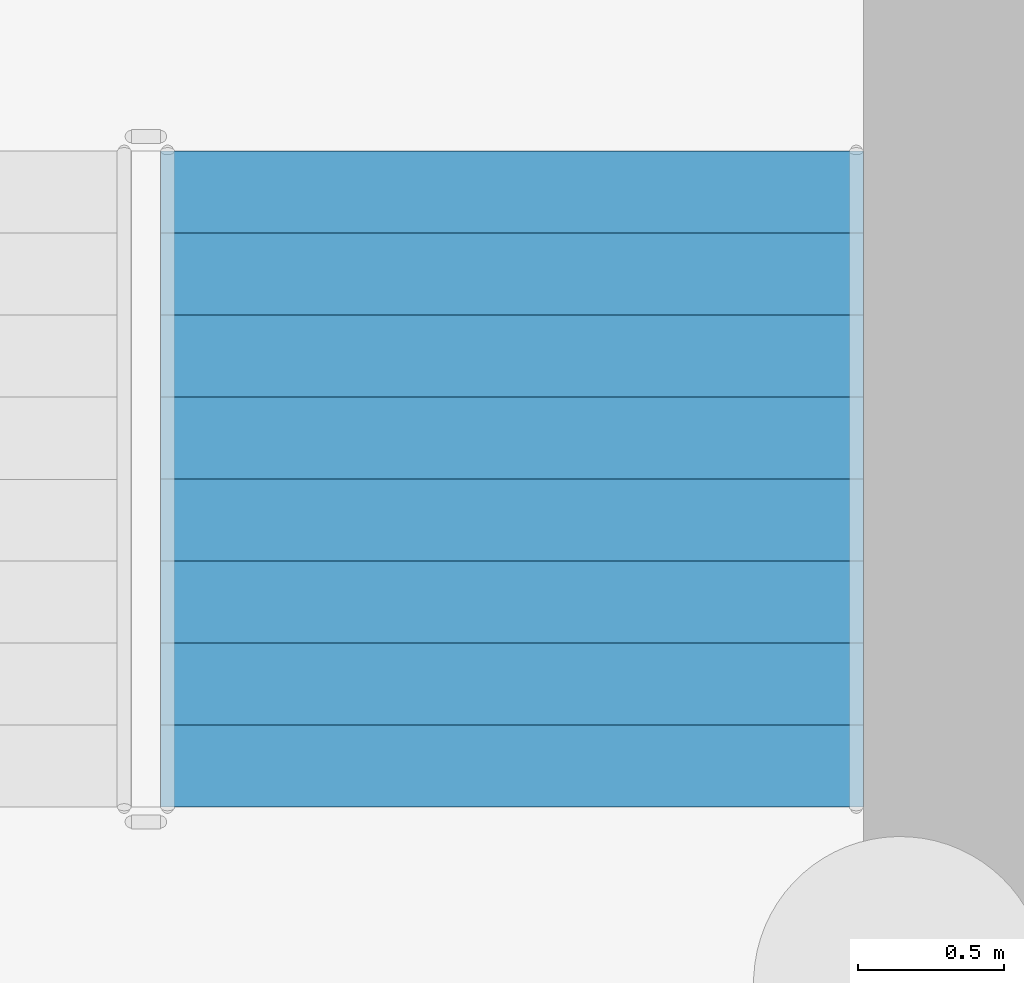
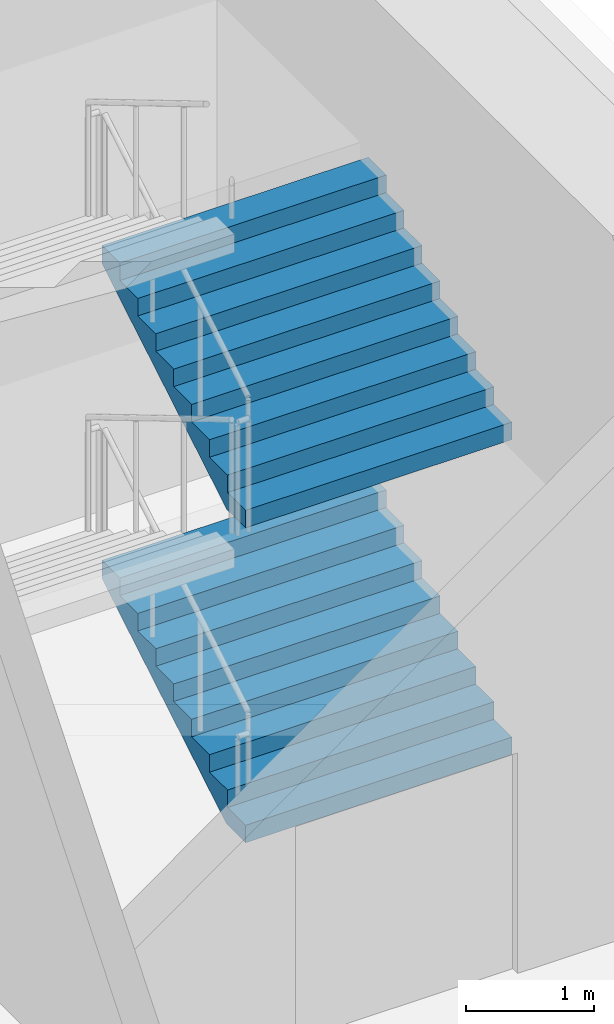
# One storey, part 28 of 39: 2 stair flights, 1 element without a shape of its own.
"""IFC4 building model written with IfcOpenShell, lengths in metres."""

from ifc_helpers import new_model, si_unit, direction, frame, origin, place, context, subcontext, project, spatial, triangles, material, type_object, element, aggregate, save


model = new_model("IFC4")

# Units and contexts
model_context = context("Model", 3, precision=1e-05, world=origin(), true_north=direction((0.0, 1.0)))
body_context = subcontext(model_context, "Body", "Model", "MODEL_VIEW")
ifc_project = project(units=[si_unit("LENGTHUNIT", "METRE"), si_unit("AREAUNIT", "SQUARE_METRE"), si_unit("VOLUMEUNIT", "CUBIC_METRE"), si_unit("PLANEANGLEUNIT", "RADIAN"), si_unit("MASSUNIT", "GRAM", prefix="KILO")], contexts=[model_context])

# Site, building, storey
site_placement = place(None, origin())
site = spatial("IfcSite", under=ifc_project, at=site_placement, CompositionType="ELEMENT")
building_placement = place(site_placement, origin())
building = spatial("IfcBuilding", under=site, at=building_placement, Name="Magnolia Steps Interchange", CompositionType="ELEMENT")
storey_placement = place(building_placement, frame((0.0, 0.0, -11.39990234375)))
storey = spatial("IfcBuildingStorey", under=building, at=storey_placement, Name="B2", CompositionType="ELEMENT", Elevation=-11.39990234375)

# Stair, stair flights
ifc_material_1 = material(Name="Concrete C40", Category="concrete")
stair_type = type_object("IfcStairType", Name="Exit stair 2400", PredefinedType="HALF_TURN_STAIR", material=ifc_material_1)
stair_placement = place(storey_placement, origin())
stair = element("IfcStair", 1, at=stair_placement, inside=storey, type_object=stair_type, Name="B2 Stair 16", PredefinedType="HALF_TURN_STAIR")
ifc_material_2 = material(Name="Concrete C40", Category="concrete")
stair_flight_type = type_object("IfcStairFlightType", Name="Exit stair flight", PredefinedType="STRAIGHT", material=ifc_material_2)
stair_flight_1_placement = place(storey_placement, frame((181.22509765625, 69.875, 0.0), z_axis=(0.0, 0.0, 1.0), x_axis=(0.0, 1.0, 0.0)))
stair_flight_1 = element("IfcStairFlight", 2, at=stair_flight_1_placement, type_object=stair_flight_type, Name="Stair 16 flight 1", NumberOfRisers=9, NumberOfTreads=8, PredefinedType="STRAIGHT", RiserHeight=0.166666667, TreadLength=0.28, context=body_context, shape_type="Tessellation", body=[
    triangles([(0.0, -1.199951171875, 0.0), (0.29296875, -1.199951171875, 0.0), (2.239990234375, -1.199951171875, 1.158935546875), (2.239990234375, -1.199951171875, 1.333251953125), (1.9599609375, -1.199951171875, 1.333251953125), (1.9599609375, -1.199951171875, 1.166748046875), (1.679931640625, -1.199951171875, 1.166748046875), (1.679931640625, -1.199951171875, 1.0), (1.39990234375, -1.199951171875, 1.0), (1.39990234375, -1.199951171875, 0.833251953125), (1.1201171875, -1.199951171875, 0.833251953125), (1.1201171875, -1.199951171875, 0.666748046875), (0.840087890625, -1.199951171875, 0.666748046875), (0.840087890625, -1.199951171875, 0.5), (0.56005859375, -1.199951171875, 0.5), (0.56005859375, -1.199951171875, 0.333251953125), (0.280029296875, -1.199951171875, 0.333251953125), (0.280029296875, -1.199951171875, 0.166748046875), (0.0, -1.199951171875, 0.166748046875), (0.0, 1.199951171875, 0.0), (0.29296875, 1.199951171875, 0.0), (2.239990234375, 1.199951171875, 1.158935546875), (2.239990234375, 1.199951171875, 1.333251953125), (1.9599609375, 1.199951171875, 1.333251953125), (1.9599609375, 1.199951171875, 1.166748046875), (1.679931640625, 1.199951171875, 1.166748046875), (1.679931640625, 1.199951171875, 1.0), (1.39990234375, 1.199951171875, 1.0), (1.39990234375, 1.199951171875, 0.833251953125), (1.1201171875, 1.199951171875, 0.833251953125), (1.1201171875, 1.199951171875, 0.666748046875), (0.840087890625, 1.199951171875, 0.666748046875), (0.840087890625, 1.199951171875, 0.5), (0.56005859375, 1.199951171875, 0.5), (0.56005859375, 1.199951171875, 0.333251953125), (0.280029296875, 1.199951171875, 0.333251953125), (0.280029296875, 1.199951171875, 0.166748046875), (0.0, 1.199951171875, 0.166748046875), (0.0, 0.0, 0.0), (0.0, 0.0, 0.04168701171875), (0.0, 0.0, 0.0833740234375), (0.0, 0.0, 0.12506103515625), (0.0, 0.0, 0.166748046875), (0.0, -0.05, 0.0), (0.0, -0.05, 0.166748046875), (0.0, 0.05, 0.0), (0.0, 0.05, 0.166748046875), (0.046671549479166664, 0.0, 0.166748046875), (0.09334309895833333, 0.0, 0.166748046875), (0.1400146484375, 0.0, 0.166748046875), (0.18668619791666666, 0.0, 0.166748046875), (0.23335774739583334, 0.0, 0.166748046875), (0.280029296875, 0.0, 0.166748046875), (0.280029296875, -0.05, 0.166748046875), (0.280029296875, 0.05, 0.166748046875), (0.280029296875, 0.0, 0.2083740234375), (0.280029296875, 0.0, 0.25), (0.280029296875, 0.0, 0.2916259765625), (0.280029296875, 0.0, 0.333251953125), (0.280029296875, -0.05, 0.333251953125), (0.280029296875, 0.05, 0.333251953125), (0.3267008463541667, 0.0, 0.333251953125), (0.3733723958333333, 0.0, 0.333251953125), (0.4200439453125, 0.0, 0.333251953125), (0.46671549479166663, 0.0, 0.333251953125), (0.5133870442708334, 0.0, 0.333251953125), (0.56005859375, 0.0, 0.333251953125), (0.56005859375, -0.05, 0.333251953125), (0.56005859375, 0.05, 0.333251953125), (0.56005859375, 0.0, 0.37493896484375), (0.56005859375, 0.0, 0.4166259765625), (0.56005859375, 0.0, 0.45831298828125), (0.56005859375, 0.0, 0.5), (0.56005859375, -0.05, 0.5), (0.56005859375, 0.05, 0.5), (0.6067301432291666, 0.0, 0.5), (0.6534016927083334, 0.0, 0.5), (0.7000732421875, 0.0, 0.5), (0.7467447916666666, 0.0, 0.5), (0.7934163411458334, 0.0, 0.5), (0.840087890625, 0.0, 0.5), (0.840087890625, -0.05, 0.5), (0.840087890625, 0.05, 0.5), (0.840087890625, 0.0, 0.54168701171875), (0.840087890625, 0.0, 0.5833740234375), (0.840087890625, 0.0, 0.62506103515625), (0.840087890625, 0.0, 0.666748046875), (0.840087890625, -0.05, 0.666748046875), (0.840087890625, 0.05, 0.666748046875), (0.8867594401041666, 0.0, 0.666748046875), (0.9334309895833334, 0.0, 0.666748046875), (0.9801025390625, 0.0, 0.666748046875), (1.0267740885416667, 0.0, 0.666748046875), (1.0734456380208333, 0.0, 0.666748046875), (1.1201171875, 0.0, 0.666748046875), (1.1201171875, -0.05, 0.666748046875), (1.1201171875, 0.05, 0.666748046875), (1.1201171875, 0.0, 0.7083740234375), (1.1201171875, 0.0, 0.75), (1.1201171875, 0.0, 0.7916259765625), (1.1201171875, 0.0, 0.833251953125), (1.1201171875, -0.05, 0.833251953125), (1.1201171875, 0.05, 0.833251953125), (1.1900634765625, 0.0, 0.833251953125), (1.260009765625, 0.0, 0.833251953125), (1.3299560546875, 0.0, 0.833251953125), (1.39990234375, 0.0, 0.833251953125), (1.39990234375, -0.05, 0.833251953125), (1.39990234375, 0.05, 0.833251953125), (1.39990234375, 0.0, 0.87493896484375), (1.39990234375, 0.0, 0.9166259765625), (1.39990234375, 0.0, 0.95831298828125), (1.39990234375, 0.0, 1.0), (1.39990234375, -0.05, 1.0), (1.39990234375, 0.05, 1.0), (1.4465738932291667, 0.0, 1.0), (1.4932454427083333, 0.0, 1.0), (1.5399169921875, 0.0, 1.0), (1.5865885416666667, 0.0, 1.0), (1.6332600911458333, 0.0, 1.0), (1.679931640625, 0.0, 1.0), (1.679931640625, -0.05, 1.0), (1.679931640625, 0.05, 1.0), (1.679931640625, 0.0, 1.04168701171875), (1.679931640625, 0.0, 1.0833740234375), (1.679931640625, 0.0, 1.12506103515625), (1.679931640625, 0.0, 1.166748046875), (1.679931640625, -0.05, 1.166748046875), (1.679931640625, 0.05, 1.166748046875), (1.7266031901041667, 0.0, 1.166748046875), (1.7732747395833333, 0.0, 1.166748046875), (1.8199462890625, 0.0, 1.166748046875), (1.8666178385416667, 0.0, 1.166748046875), (1.9132893880208333, 0.0, 1.166748046875), (1.9599609375, 0.0, 1.166748046875), (1.9599609375, -0.05, 1.166748046875), (1.9599609375, 0.05, 1.166748046875), (1.9599609375, 0.0, 1.2083740234375), (1.9599609375, 0.0, 1.25), (1.9599609375, 0.0, 1.2916259765625), (1.9599609375, 0.0, 1.333251953125), (1.9599609375, -0.05, 1.333251953125), (1.9599609375, 0.05, 1.333251953125), (2.0066324869791665, 0.0, 1.333251953125), (2.0533040364583335, 0.0, 1.333251953125), (2.0999755859375, 0.0, 1.333251953125), (2.1466471354166665, 0.0, 1.333251953125), (2.1933186848958335, 0.0, 1.333251953125), (2.239990234375, 0.0, 1.333251953125), (2.239990234375, -0.05, 1.333251953125), (2.239990234375, 0.05, 1.333251953125), (2.239990234375, 0.0, 1.2896728515625), (2.239990234375, 0.0, 1.24609375), (2.239990234375, 0.0, 1.2025146484375), (2.239990234375, 0.0, 1.158935546875), (2.239990234375, -0.05, 1.158935546875), (2.239990234375, 0.05, 1.158935546875), (2.1827248965992645, 0.0, 1.1248492072610294), (2.1254595588235294, 0.0, 1.0907628676470589), (2.068194221047794, 0.0, 1.0566765280330883), (2.010928883272059, 0.0, 1.0225901884191178), (1.9536635454963236, 0.0, 0.9885038488051471), (1.8963982077205883, 0.0, 0.9544175091911764), (1.8391328699448528, 0.0, 0.9203311695772058), (1.7818675321691178, 0.0, 0.8862448299632353), (1.7246021943933822, 0.0, 0.8521584903492647), (1.6673368566176472, 0.0, 0.8180721507352942), (1.6100715188419117, 0.0, 0.7839858111213236), (1.5528061810661766, 0.0, 0.7498994715073529), (1.4955408432904411, 0.0, 0.7158131318933824), (1.4382755055147058, 0.0, 0.6817267922794117), (1.3810101677389706, 0.0, 0.6476404526654411), (1.3237448299632353, 0.0, 0.6135541130514706), (1.2664794921875, 0.0, 0.5794677734375), (1.2092141544117647, 0.0, 0.5453814338235294), (1.1519488166360294, 0.0, 0.5112950942095589), (1.0946834788602942, 0.0, 0.4772087545955882), (1.0374181410845589, 0.0, 0.44312241498161764), (0.9801528033088236, 0.0, 0.4090360753676471), (0.9228874655330883, 0.0, 0.3749497357536765), (0.865622127757353, 0.0, 0.34086339613970584), (0.8083567899816178, 0.0, 0.3067770565257353), (0.7510914522058822, 0.0, 0.2726907169117647), (0.693826114430147, 0.0, 0.23860437729779416), (0.6365607766544117, 0.0, 0.20451803768382348), (0.5792954388786764, 0.0, 0.17043169806985292), (0.5220301011029411, 0.0, 0.13634535845588225), (0.46476476332720584, 0.0, 0.10225901884191169), (0.40749942555147056, 0.0, 0.06817267922794112), (0.3502340877757353, 0.0, 0.03408633961397056), (0.29296875, 0.0, 0.0), (0.29296875, -0.05, 0.0), (0.29296875, 0.05, 0.0), (0.244140625, 0.0, 0.0), (0.1953125, 0.0, 0.0), (0.146484375, 0.0, 0.0), (0.09765625, 0.0, 0.0), (0.048828125, 0.0, 0.0)], [[1, 2, 3], [3, 4, 5], [3, 5, 6], [3, 6, 7], [3, 7, 8], [8, 9, 10], [3, 8, 10], [10, 11, 12], [3, 10, 12], [12, 13, 14], [3, 12, 14], [14, 15, 16], [3, 14, 16], [1, 3, 16], [16, 17, 18], [1, 16, 18], [18, 19, 1], [20, 22, 21], [22, 24, 23], [22, 25, 24], [22, 26, 25], [22, 27, 26], [27, 29, 28], [22, 29, 27], [29, 31, 30], [22, 31, 29], [31, 33, 32], [22, 33, 31], [33, 35, 34], [22, 35, 33], [20, 35, 22], [35, 37, 36], [20, 37, 35], [37, 20, 38], [1, 19, 45], [1, 45, 44], [44, 40, 39], [44, 41, 40], [44, 45, 41], [45, 42, 41], [45, 43, 42], [20, 47, 38], [20, 46, 47], [46, 39, 40], [46, 40, 41], [46, 41, 47], [47, 41, 42], [47, 42, 43], [19, 18, 54], [19, 54, 45], [45, 48, 43], [45, 49, 48], [45, 50, 49], [45, 54, 50], [54, 51, 50], [54, 52, 51], [54, 53, 52], [38, 55, 37], [38, 47, 55], [47, 43, 48], [47, 48, 49], [47, 49, 50], [47, 50, 55], [55, 50, 51], [55, 51, 52], [55, 52, 53], [18, 17, 60], [18, 60, 54], [54, 56, 53], [54, 57, 56], [54, 60, 57], [60, 58, 57], [60, 59, 58], [37, 61, 36], [37, 55, 61], [55, 53, 56], [55, 56, 57], [55, 57, 61], [61, 57, 58], [61, 58, 59], [17, 16, 68], [17, 68, 60], [60, 62, 59], [60, 63, 62], [60, 64, 63], [60, 68, 64], [68, 65, 64], [68, 66, 65], [68, 67, 66], [36, 69, 35], [36, 61, 69], [61, 59, 62], [61, 62, 63], [61, 63, 64], [61, 64, 69], [69, 64, 65], [69, 65, 66], [69, 66, 67], [16, 15, 74], [16, 74, 68], [68, 70, 67], [68, 71, 70], [68, 74, 71], [74, 72, 71], [74, 73, 72], [35, 75, 34], [35, 69, 75], [69, 67, 70], [69, 70, 71], [69, 71, 75], [75, 71, 72], [75, 72, 73], [15, 14, 82], [15, 82, 74], [74, 76, 73], [74, 77, 76], [74, 78, 77], [74, 82, 78], [82, 79, 78], [82, 80, 79], [82, 81, 80], [34, 83, 33], [34, 75, 83], [75, 73, 76], [75, 76, 77], [75, 77, 78], [75, 78, 83], [83, 78, 79], [83, 79, 80], [83, 80, 81], [14, 13, 88], [14, 88, 82], [82, 84, 81], [82, 85, 84], [82, 88, 85], [88, 86, 85], [88, 87, 86], [33, 89, 32], [33, 83, 89], [83, 81, 84], [83, 84, 85], [83, 85, 89], [89, 85, 86], [89, 86, 87], [13, 12, 96], [13, 96, 88], [88, 90, 87], [88, 91, 90], [88, 92, 91], [88, 96, 92], [96, 93, 92], [96, 94, 93], [96, 95, 94], [32, 97, 31], [32, 89, 97], [89, 87, 90], [89, 90, 91], [89, 91, 92], [89, 92, 97], [97, 92, 93], [97, 93, 94], [97, 94, 95], [12, 11, 102], [12, 102, 96], [96, 98, 95], [96, 99, 98], [96, 102, 99], [102, 100, 99], [102, 101, 100], [31, 103, 30], [31, 97, 103], [97, 95, 98], [97, 98, 99], [97, 99, 103], [103, 99, 100], [103, 100, 101], [11, 10, 108], [11, 108, 102], [102, 104, 101], [102, 105, 104], [102, 108, 105], [108, 106, 105], [108, 107, 106], [30, 109, 29], [30, 103, 109], [103, 101, 104], [103, 104, 105], [103, 105, 109], [109, 105, 106], [109, 106, 107], [10, 9, 114], [10, 114, 108], [108, 110, 107], [108, 111, 110], [108, 114, 111], [114, 112, 111], [114, 113, 112], [29, 115, 28], [29, 109, 115], [109, 107, 110], [109, 110, 111], [109, 111, 115], [115, 111, 112], [115, 112, 113], [9, 8, 122], [9, 122, 114], [114, 116, 113], [114, 117, 116], [114, 118, 117], [114, 122, 118], [122, 119, 118], [122, 120, 119], [122, 121, 120], [28, 123, 27], [28, 115, 123], [115, 113, 116], [115, 116, 117], [115, 117, 118], [115, 118, 123], [123, 118, 119], [123, 119, 120], [123, 120, 121], [8, 7, 128], [8, 128, 122], [122, 124, 121], [122, 125, 124], [122, 128, 125], [128, 126, 125], [128, 127, 126], [27, 129, 26], [27, 123, 129], [123, 121, 124], [123, 124, 125], [123, 125, 129], [129, 125, 126], [129, 126, 127], [7, 6, 136], [7, 136, 128], [128, 130, 127], [128, 131, 130], [128, 132, 131], [128, 136, 132], [136, 133, 132], [136, 134, 133], [136, 135, 134], [26, 137, 25], [26, 129, 137], [129, 127, 130], [129, 130, 131], [129, 131, 132], [129, 132, 137], [137, 132, 133], [137, 133, 134], [137, 134, 135], [6, 5, 142], [6, 142, 136], [136, 138, 135], [136, 139, 138], [136, 142, 139], [142, 140, 139], [142, 141, 140], [25, 143, 24], [25, 137, 143], [137, 135, 138], [137, 138, 139], [137, 139, 143], [143, 139, 140], [143, 140, 141], [5, 4, 150], [5, 150, 142], [142, 144, 141], [142, 145, 144], [142, 146, 145], [142, 150, 146], [150, 147, 146], [150, 148, 147], [150, 149, 148], [24, 151, 23], [24, 143, 151], [143, 141, 144], [143, 144, 145], [143, 145, 146], [143, 146, 151], [151, 146, 147], [151, 147, 148], [151, 148, 149], [4, 3, 156], [4, 156, 150], [150, 152, 149], [150, 153, 152], [150, 156, 153], [156, 154, 153], [156, 155, 154], [23, 157, 22], [23, 151, 157], [151, 149, 152], [151, 152, 153], [151, 153, 157], [157, 153, 154], [157, 154, 155], [3, 2, 192], [3, 192, 156], [156, 158, 155], [156, 159, 158], [156, 160, 159], [156, 161, 160], [156, 162, 161], [156, 163, 162], [156, 164, 163], [156, 165, 164], [156, 166, 165], [156, 167, 166], [156, 168, 167], [156, 169, 168], [156, 170, 169], [156, 171, 170], [156, 172, 171], [156, 173, 172], [156, 174, 173], [156, 192, 174], [192, 175, 174], [192, 176, 175], [192, 177, 176], [192, 178, 177], [192, 179, 178], [192, 180, 179], [192, 181, 180], [192, 182, 181], [192, 183, 182], [192, 184, 183], [192, 185, 184], [192, 186, 185], [192, 187, 186], [192, 188, 187], [192, 189, 188], [192, 190, 189], [192, 191, 190], [22, 193, 21], [22, 157, 193], [157, 155, 158], [157, 158, 159], [157, 159, 160], [157, 160, 161], [157, 161, 162], [157, 162, 163], [157, 163, 164], [157, 164, 165], [157, 165, 166], [157, 166, 167], [157, 167, 168], [157, 168, 169], [157, 169, 170], [157, 170, 171], [157, 171, 172], [157, 172, 173], [157, 173, 174], [157, 174, 193], [193, 174, 175], [193, 175, 176], [193, 176, 177], [193, 177, 178], [193, 178, 179], [193, 179, 180], [193, 180, 181], [193, 181, 182], [193, 182, 183], [193, 183, 184], [193, 184, 185], [193, 185, 186], [193, 186, 187], [193, 187, 188], [193, 188, 189], [193, 189, 190], [193, 190, 191], [2, 1, 44], [2, 44, 192], [192, 194, 191], [192, 195, 194], [192, 196, 195], [192, 44, 196], [44, 197, 196], [44, 198, 197], [44, 39, 198], [21, 46, 20], [21, 193, 46], [193, 191, 194], [193, 194, 195], [193, 195, 196], [193, 196, 46], [46, 196, 197], [46, 197, 198], [46, 198, 39]], closed=True),
])
stair_flight_2_placement = place(storey_placement, frame((181.22509765625, 69.875, 3.0), z_axis=(0.0, 0.0, 1.0), x_axis=(0.0, 1.0, 0.0)))
stair_flight_2 = element("IfcStairFlight", 3, at=stair_flight_2_placement, type_object=stair_flight_type, Name="Stair 16 flight 3", NumberOfRisers=9, NumberOfTreads=8, PredefinedType="STRAIGHT", RiserHeight=0.166666667, TreadLength=0.28, context=body_context, shape_type="Tessellation", body=[
    triangles([(0.0, -1.199951171875, 0.0), (0.29296875, -1.199951171875, 0.0), (2.239990234375, -1.199951171875, 1.158935546875), (2.239990234375, -1.199951171875, 1.333251953125), (1.9599609375, -1.199951171875, 1.333251953125), (1.9599609375, -1.199951171875, 1.166748046875), (1.679931640625, -1.199951171875, 1.166748046875), (1.679931640625, -1.199951171875, 1.0), (1.39990234375, -1.199951171875, 1.0), (1.39990234375, -1.199951171875, 0.833251953125), (1.1201171875, -1.199951171875, 0.833251953125), (1.1201171875, -1.199951171875, 0.666748046875), (0.840087890625, -1.199951171875, 0.666748046875), (0.840087890625, -1.199951171875, 0.5), (0.56005859375, -1.199951171875, 0.5), (0.56005859375, -1.199951171875, 0.333251953125), (0.280029296875, -1.199951171875, 0.333251953125), (0.280029296875, -1.199951171875, 0.166748046875), (0.0, -1.199951171875, 0.166748046875), (0.0, 1.199951171875, 0.0), (0.29296875, 1.199951171875, 0.0), (2.239990234375, 1.199951171875, 1.158935546875), (2.239990234375, 1.199951171875, 1.333251953125), (1.9599609375, 1.199951171875, 1.333251953125), (1.9599609375, 1.199951171875, 1.166748046875), (1.679931640625, 1.199951171875, 1.166748046875), (1.679931640625, 1.199951171875, 1.0), (1.39990234375, 1.199951171875, 1.0), (1.39990234375, 1.199951171875, 0.833251953125), (1.1201171875, 1.199951171875, 0.833251953125), (1.1201171875, 1.199951171875, 0.666748046875), (0.840087890625, 1.199951171875, 0.666748046875), (0.840087890625, 1.199951171875, 0.5), (0.56005859375, 1.199951171875, 0.5), (0.56005859375, 1.199951171875, 0.333251953125), (0.280029296875, 1.199951171875, 0.333251953125), (0.280029296875, 1.199951171875, 0.166748046875), (0.0, 1.199951171875, 0.166748046875), (0.0, 0.0, 0.0), (0.0, 0.0, 0.04168701171875), (0.0, 0.0, 0.0833740234375), (0.0, 0.0, 0.12506103515625), (0.0, 0.0, 0.166748046875), (0.0, -0.05, 0.0), (0.0, -0.05, 0.166748046875), (0.0, 0.05, 0.0), (0.0, 0.05, 0.166748046875), (0.046671549479166664, 0.0, 0.166748046875), (0.09334309895833333, 0.0, 0.166748046875), (0.1400146484375, 0.0, 0.166748046875), (0.18668619791666666, 0.0, 0.166748046875), (0.23335774739583334, 0.0, 0.166748046875), (0.280029296875, 0.0, 0.166748046875), (0.280029296875, -0.05, 0.166748046875), (0.280029296875, 0.05, 0.166748046875), (0.280029296875, 0.0, 0.2083740234375), (0.280029296875, 0.0, 0.25), (0.280029296875, 0.0, 0.2916259765625), (0.280029296875, 0.0, 0.333251953125), (0.280029296875, -0.05, 0.333251953125), (0.280029296875, 0.05, 0.333251953125), (0.3267008463541667, 0.0, 0.333251953125), (0.3733723958333333, 0.0, 0.333251953125), (0.4200439453125, 0.0, 0.333251953125), (0.46671549479166663, 0.0, 0.333251953125), (0.5133870442708334, 0.0, 0.333251953125), (0.56005859375, 0.0, 0.333251953125), (0.56005859375, -0.05, 0.333251953125), (0.56005859375, 0.05, 0.333251953125), (0.56005859375, 0.0, 0.37493896484375), (0.56005859375, 0.0, 0.4166259765625), (0.56005859375, 0.0, 0.45831298828125), (0.56005859375, 0.0, 0.5), (0.56005859375, -0.05, 0.5), (0.56005859375, 0.05, 0.5), (0.6067301432291666, 0.0, 0.5), (0.6534016927083334, 0.0, 0.5), (0.7000732421875, 0.0, 0.5), (0.7467447916666666, 0.0, 0.5), (0.7934163411458334, 0.0, 0.5), (0.840087890625, 0.0, 0.5), (0.840087890625, -0.05, 0.5), (0.840087890625, 0.05, 0.5), (0.840087890625, 0.0, 0.54168701171875), (0.840087890625, 0.0, 0.5833740234375), (0.840087890625, 0.0, 0.62506103515625), (0.840087890625, 0.0, 0.666748046875), (0.840087890625, -0.05, 0.666748046875), (0.840087890625, 0.05, 0.666748046875), (0.8867594401041666, 0.0, 0.666748046875), (0.9334309895833334, 0.0, 0.666748046875), (0.9801025390625, 0.0, 0.666748046875), (1.0267740885416667, 0.0, 0.666748046875), (1.0734456380208333, 0.0, 0.666748046875), (1.1201171875, 0.0, 0.666748046875), (1.1201171875, -0.05, 0.666748046875), (1.1201171875, 0.05, 0.666748046875), (1.1201171875, 0.0, 0.7083740234375), (1.1201171875, 0.0, 0.75), (1.1201171875, 0.0, 0.7916259765625), (1.1201171875, 0.0, 0.833251953125), (1.1201171875, -0.05, 0.833251953125), (1.1201171875, 0.05, 0.833251953125), (1.1900634765625, 0.0, 0.833251953125), (1.260009765625, 0.0, 0.833251953125), (1.3299560546875, 0.0, 0.833251953125), (1.39990234375, 0.0, 0.833251953125), (1.39990234375, -0.05, 0.833251953125), (1.39990234375, 0.05, 0.833251953125), (1.39990234375, 0.0, 0.87493896484375), (1.39990234375, 0.0, 0.9166259765625), (1.39990234375, 0.0, 0.95831298828125), (1.39990234375, 0.0, 1.0), (1.39990234375, -0.05, 1.0), (1.39990234375, 0.05, 1.0), (1.4465738932291667, 0.0, 1.0), (1.4932454427083333, 0.0, 1.0), (1.5399169921875, 0.0, 1.0), (1.5865885416666667, 0.0, 1.0), (1.6332600911458333, 0.0, 1.0), (1.679931640625, 0.0, 1.0), (1.679931640625, -0.05, 1.0), (1.679931640625, 0.05, 1.0), (1.679931640625, 0.0, 1.04168701171875), (1.679931640625, 0.0, 1.0833740234375), (1.679931640625, 0.0, 1.12506103515625), (1.679931640625, 0.0, 1.166748046875), (1.679931640625, -0.05, 1.166748046875), (1.679931640625, 0.05, 1.166748046875), (1.7266031901041667, 0.0, 1.166748046875), (1.7732747395833333, 0.0, 1.166748046875), (1.8199462890625, 0.0, 1.166748046875), (1.8666178385416667, 0.0, 1.166748046875), (1.9132893880208333, 0.0, 1.166748046875), (1.9599609375, 0.0, 1.166748046875), (1.9599609375, -0.05, 1.166748046875), (1.9599609375, 0.05, 1.166748046875), (1.9599609375, 0.0, 1.2083740234375), (1.9599609375, 0.0, 1.25), (1.9599609375, 0.0, 1.2916259765625), (1.9599609375, 0.0, 1.333251953125), (1.9599609375, -0.05, 1.333251953125), (1.9599609375, 0.05, 1.333251953125), (2.0066324869791665, 0.0, 1.333251953125), (2.0533040364583335, 0.0, 1.333251953125), (2.0999755859375, 0.0, 1.333251953125), (2.1466471354166665, 0.0, 1.333251953125), (2.1933186848958335, 0.0, 1.333251953125), (2.239990234375, 0.0, 1.333251953125), (2.239990234375, -0.05, 1.333251953125), (2.239990234375, 0.05, 1.333251953125), (2.239990234375, 0.0, 1.2896728515625), (2.239990234375, 0.0, 1.24609375), (2.239990234375, 0.0, 1.2025146484375), (2.239990234375, 0.0, 1.158935546875), (2.239990234375, -0.05, 1.158935546875), (2.239990234375, 0.05, 1.158935546875), (2.1827248965992645, 0.0, 1.1248492072610294), (2.1254595588235294, 0.0, 1.0907628676470589), (2.068194221047794, 0.0, 1.0566765280330883), (2.010928883272059, 0.0, 1.0225901884191178), (1.9536635454963236, 0.0, 0.9885038488051471), (1.8963982077205883, 0.0, 0.9544175091911764), (1.8391328699448528, 0.0, 0.9203311695772058), (1.7818675321691178, 0.0, 0.8862448299632353), (1.7246021943933822, 0.0, 0.8521584903492647), (1.6673368566176472, 0.0, 0.8180721507352942), (1.6100715188419117, 0.0, 0.7839858111213236), (1.5528061810661766, 0.0, 0.7498994715073529), (1.4955408432904411, 0.0, 0.7158131318933824), (1.4382755055147058, 0.0, 0.6817267922794117), (1.3810101677389706, 0.0, 0.6476404526654411), (1.3237448299632353, 0.0, 0.6135541130514706), (1.2664794921875, 0.0, 0.5794677734375), (1.2092141544117647, 0.0, 0.5453814338235294), (1.1519488166360294, 0.0, 0.5112950942095589), (1.0946834788602942, 0.0, 0.4772087545955882), (1.0374181410845589, 0.0, 0.44312241498161764), (0.9801528033088236, 0.0, 0.4090360753676471), (0.9228874655330883, 0.0, 0.3749497357536765), (0.865622127757353, 0.0, 0.34086339613970584), (0.8083567899816178, 0.0, 0.3067770565257353), (0.7510914522058822, 0.0, 0.2726907169117647), (0.693826114430147, 0.0, 0.23860437729779416), (0.6365607766544117, 0.0, 0.20451803768382348), (0.5792954388786764, 0.0, 0.17043169806985292), (0.5220301011029411, 0.0, 0.13634535845588225), (0.46476476332720584, 0.0, 0.10225901884191169), (0.40749942555147056, 0.0, 0.06817267922794112), (0.3502340877757353, 0.0, 0.03408633961397056), (0.29296875, 0.0, 0.0), (0.29296875, -0.05, 0.0), (0.29296875, 0.05, 0.0), (0.244140625, 0.0, 0.0), (0.1953125, 0.0, 0.0), (0.146484375, 0.0, 0.0), (0.09765625, 0.0, 0.0), (0.048828125, 0.0, 0.0)], [[1, 2, 3], [3, 4, 5], [3, 5, 6], [3, 6, 7], [3, 7, 8], [8, 9, 10], [3, 8, 10], [10, 11, 12], [3, 10, 12], [12, 13, 14], [3, 12, 14], [14, 15, 16], [3, 14, 16], [1, 3, 16], [16, 17, 18], [1, 16, 18], [18, 19, 1], [20, 22, 21], [22, 24, 23], [22, 25, 24], [22, 26, 25], [22, 27, 26], [27, 29, 28], [22, 29, 27], [29, 31, 30], [22, 31, 29], [31, 33, 32], [22, 33, 31], [33, 35, 34], [22, 35, 33], [20, 35, 22], [35, 37, 36], [20, 37, 35], [37, 20, 38], [1, 19, 45], [1, 45, 44], [44, 40, 39], [44, 41, 40], [44, 45, 41], [45, 42, 41], [45, 43, 42], [20, 47, 38], [20, 46, 47], [46, 39, 40], [46, 40, 41], [46, 41, 47], [47, 41, 42], [47, 42, 43], [19, 18, 54], [19, 54, 45], [45, 48, 43], [45, 49, 48], [45, 50, 49], [45, 54, 50], [54, 51, 50], [54, 52, 51], [54, 53, 52], [38, 55, 37], [38, 47, 55], [47, 43, 48], [47, 48, 49], [47, 49, 50], [47, 50, 55], [55, 50, 51], [55, 51, 52], [55, 52, 53], [18, 17, 60], [18, 60, 54], [54, 56, 53], [54, 57, 56], [54, 60, 57], [60, 58, 57], [60, 59, 58], [37, 61, 36], [37, 55, 61], [55, 53, 56], [55, 56, 57], [55, 57, 61], [61, 57, 58], [61, 58, 59], [17, 16, 68], [17, 68, 60], [60, 62, 59], [60, 63, 62], [60, 64, 63], [60, 68, 64], [68, 65, 64], [68, 66, 65], [68, 67, 66], [36, 69, 35], [36, 61, 69], [61, 59, 62], [61, 62, 63], [61, 63, 64], [61, 64, 69], [69, 64, 65], [69, 65, 66], [69, 66, 67], [16, 15, 74], [16, 74, 68], [68, 70, 67], [68, 71, 70], [68, 74, 71], [74, 72, 71], [74, 73, 72], [35, 75, 34], [35, 69, 75], [69, 67, 70], [69, 70, 71], [69, 71, 75], [75, 71, 72], [75, 72, 73], [15, 14, 82], [15, 82, 74], [74, 76, 73], [74, 77, 76], [74, 78, 77], [74, 82, 78], [82, 79, 78], [82, 80, 79], [82, 81, 80], [34, 83, 33], [34, 75, 83], [75, 73, 76], [75, 76, 77], [75, 77, 78], [75, 78, 83], [83, 78, 79], [83, 79, 80], [83, 80, 81], [14, 13, 88], [14, 88, 82], [82, 84, 81], [82, 85, 84], [82, 88, 85], [88, 86, 85], [88, 87, 86], [33, 89, 32], [33, 83, 89], [83, 81, 84], [83, 84, 85], [83, 85, 89], [89, 85, 86], [89, 86, 87], [13, 12, 96], [13, 96, 88], [88, 90, 87], [88, 91, 90], [88, 92, 91], [88, 96, 92], [96, 93, 92], [96, 94, 93], [96, 95, 94], [32, 97, 31], [32, 89, 97], [89, 87, 90], [89, 90, 91], [89, 91, 92], [89, 92, 97], [97, 92, 93], [97, 93, 94], [97, 94, 95], [12, 11, 102], [12, 102, 96], [96, 98, 95], [96, 99, 98], [96, 102, 99], [102, 100, 99], [102, 101, 100], [31, 103, 30], [31, 97, 103], [97, 95, 98], [97, 98, 99], [97, 99, 103], [103, 99, 100], [103, 100, 101], [11, 10, 108], [11, 108, 102], [102, 104, 101], [102, 105, 104], [102, 108, 105], [108, 106, 105], [108, 107, 106], [30, 109, 29], [30, 103, 109], [103, 101, 104], [103, 104, 105], [103, 105, 109], [109, 105, 106], [109, 106, 107], [10, 9, 114], [10, 114, 108], [108, 110, 107], [108, 111, 110], [108, 114, 111], [114, 112, 111], [114, 113, 112], [29, 115, 28], [29, 109, 115], [109, 107, 110], [109, 110, 111], [109, 111, 115], [115, 111, 112], [115, 112, 113], [9, 8, 122], [9, 122, 114], [114, 116, 113], [114, 117, 116], [114, 118, 117], [114, 122, 118], [122, 119, 118], [122, 120, 119], [122, 121, 120], [28, 123, 27], [28, 115, 123], [115, 113, 116], [115, 116, 117], [115, 117, 118], [115, 118, 123], [123, 118, 119], [123, 119, 120], [123, 120, 121], [8, 7, 128], [8, 128, 122], [122, 124, 121], [122, 125, 124], [122, 128, 125], [128, 126, 125], [128, 127, 126], [27, 129, 26], [27, 123, 129], [123, 121, 124], [123, 124, 125], [123, 125, 129], [129, 125, 126], [129, 126, 127], [7, 6, 136], [7, 136, 128], [128, 130, 127], [128, 131, 130], [128, 132, 131], [128, 136, 132], [136, 133, 132], [136, 134, 133], [136, 135, 134], [26, 137, 25], [26, 129, 137], [129, 127, 130], [129, 130, 131], [129, 131, 132], [129, 132, 137], [137, 132, 133], [137, 133, 134], [137, 134, 135], [6, 5, 142], [6, 142, 136], [136, 138, 135], [136, 139, 138], [136, 142, 139], [142, 140, 139], [142, 141, 140], [25, 143, 24], [25, 137, 143], [137, 135, 138], [137, 138, 139], [137, 139, 143], [143, 139, 140], [143, 140, 141], [5, 4, 150], [5, 150, 142], [142, 144, 141], [142, 145, 144], [142, 146, 145], [142, 150, 146], [150, 147, 146], [150, 148, 147], [150, 149, 148], [24, 151, 23], [24, 143, 151], [143, 141, 144], [143, 144, 145], [143, 145, 146], [143, 146, 151], [151, 146, 147], [151, 147, 148], [151, 148, 149], [4, 3, 156], [4, 156, 150], [150, 152, 149], [150, 153, 152], [150, 156, 153], [156, 154, 153], [156, 155, 154], [23, 157, 22], [23, 151, 157], [151, 149, 152], [151, 152, 153], [151, 153, 157], [157, 153, 154], [157, 154, 155], [3, 2, 192], [3, 192, 156], [156, 158, 155], [156, 159, 158], [156, 160, 159], [156, 161, 160], [156, 162, 161], [156, 163, 162], [156, 164, 163], [156, 165, 164], [156, 166, 165], [156, 167, 166], [156, 168, 167], [156, 169, 168], [156, 170, 169], [156, 171, 170], [156, 172, 171], [156, 173, 172], [156, 174, 173], [156, 192, 174], [192, 175, 174], [192, 176, 175], [192, 177, 176], [192, 178, 177], [192, 179, 178], [192, 180, 179], [192, 181, 180], [192, 182, 181], [192, 183, 182], [192, 184, 183], [192, 185, 184], [192, 186, 185], [192, 187, 186], [192, 188, 187], [192, 189, 188], [192, 190, 189], [192, 191, 190], [22, 193, 21], [22, 157, 193], [157, 155, 158], [157, 158, 159], [157, 159, 160], [157, 160, 161], [157, 161, 162], [157, 162, 163], [157, 163, 164], [157, 164, 165], [157, 165, 166], [157, 166, 167], [157, 167, 168], [157, 168, 169], [157, 169, 170], [157, 170, 171], [157, 171, 172], [157, 172, 173], [157, 173, 174], [157, 174, 193], [193, 174, 175], [193, 175, 176], [193, 176, 177], [193, 177, 178], [193, 178, 179], [193, 179, 180], [193, 180, 181], [193, 181, 182], [193, 182, 183], [193, 183, 184], [193, 184, 185], [193, 185, 186], [193, 186, 187], [193, 187, 188], [193, 188, 189], [193, 189, 190], [193, 190, 191], [2, 1, 44], [2, 44, 192], [192, 194, 191], [192, 195, 194], [192, 196, 195], [192, 44, 196], [44, 197, 196], [44, 198, 197], [44, 39, 198], [21, 46, 20], [21, 193, 46], [193, 191, 194], [193, 194, 195], [193, 195, 196], [193, 196, 46], [46, 196, 197], [46, 197, 198], [46, 198, 39]], closed=True),
])
aggregate(stair, [stair_flight_1, stair_flight_2])

save(model, "model.ifc")
